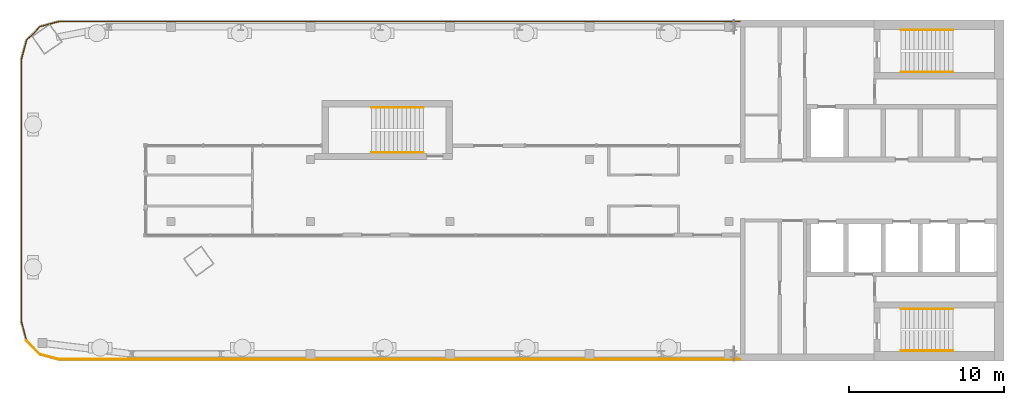
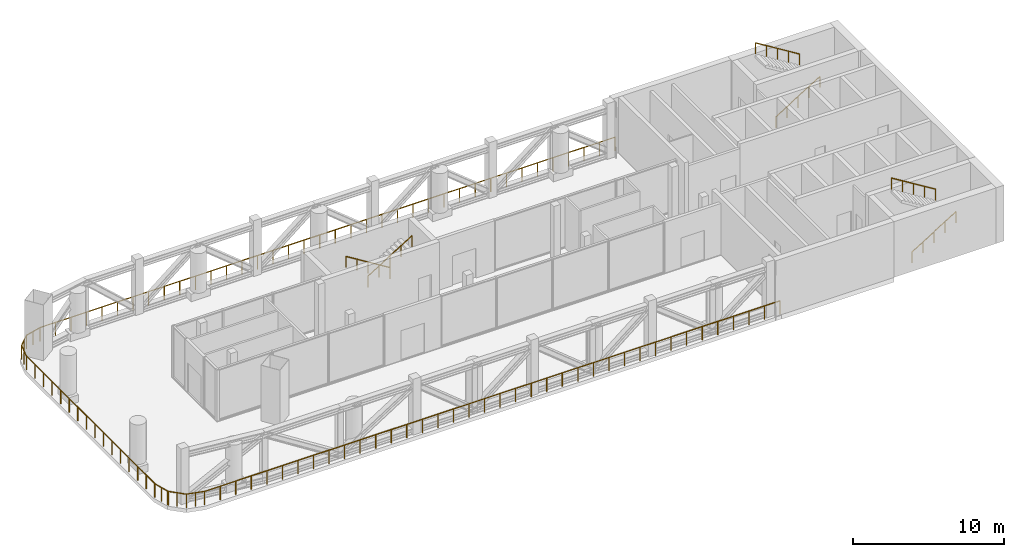
# One storey, part 7 of 9: 9 railings.
"""IFC4 building model written with IfcOpenShell, lengths in metres."""

from ifc_helpers import new_model, si_unit, direction, frame, origin, origin_2d, place, context, subcontext, project, spatial, circle, extrude, material, type_object, element, save


model = new_model("IFC4")

# Units and contexts
model_context = context("Model", 3, precision=1e-05, world=origin(), true_north=direction((0.0, 1.0)))
body_context = subcontext(model_context, "Body", "Model", "MODEL_VIEW")
ifc_project = project(units=[si_unit("LENGTHUNIT", "METRE"), si_unit("AREAUNIT", "SQUARE_METRE"), si_unit("VOLUMEUNIT", "CUBIC_METRE"), si_unit("PLANEANGLEUNIT", "RADIAN"), si_unit("MASSUNIT", "GRAM", prefix="KILO")], contexts=[model_context])

# Site, building, storey
site_placement = place(None, origin())
site = spatial("IfcSite", under=ifc_project, at=site_placement, CompositionType="ELEMENT")
building_placement = place(site_placement, origin())
building = spatial("IfcBuilding", under=site, at=building_placement, Name="Skarvind Civic Tower", CompositionType="ELEMENT")
storey_placement = place(building_placement, frame((0.0, 0.0, 277.5)))
storey = spatial("IfcBuildingStorey", under=building, at=storey_placement, Name="L66", CompositionType="ELEMENT", Elevation=277.5)

# Railings
ifc_material_1 = material(Name="Stainless steel balustrade", Category="steel")
railing_type_1 = type_object("IfcRailingType", Name="GR1 GUARD 1100", PredefinedType="GUARDRAIL", material=ifc_material_1)
railing_1_placement = place(storey_placement, frame((44.931396484375, 118.27587890625, 0.0)))
element("IfcRailing", 1, at=railing_1_placement, inside=storey, type_object=railing_type_1, Name="OBSERVATION TERRACE GUARD", PredefinedType="GUARDRAIL", context=body_context, shape_type="SweptSolid", body=[
    extrude(circle(Radius=0.02392578125, at=origin_2d()), frame((0.0, 0.0, 1.076171875), z_axis=(-0.258647162907, 0.965971865595, 0.0), x_axis=(-0.965971865595, -0.258647162907, 0.0)), (0.0, 0.0, 1.0), 1.281005859375),
    extrude(circle(Radius=0.02392578125, at=origin_2d()), frame((-0.331298828125, 1.2373046875, 1.076171875), z_axis=(0.0, 1.0, 0.0), x_axis=(-1.0, 0.0, 0.0)), (0.0, 0.0, 1.0), 16.9736328125),
    extrude(circle(Radius=0.02392578125, at=origin_2d()), frame((-0.331298828125, 18.2109375, 1.076171875), z_axis=(0.258716623949, 0.965953264135, 0.0), x_axis=(-0.965953264135, 0.258716623949, 0.0)), (0.0, 0.0, 1.0), 1.254150390625),
    extrude(circle(Radius=0.02392578125, at=origin_2d()), frame((-0.0068359375, 19.42236328125, 1.076171875), z_axis=(0.707106781187, 0.707106781187, 0.0), x_axis=(-0.707106781187, 0.707106781187, 0.0)), (0.0, 0.0, 1.0), 1.240478515625),
    extrude(circle(Radius=0.02392578125, at=origin_2d()), frame((0.870361328125, 20.299560546875, 1.076171875), z_axis=(0.965953264135, 0.258716623949, 0.0), x_axis=(-0.258716623949, 0.965953264135, 0.0)), (0.0, 0.0, 1.0), 1.254150390625),
    extrude(circle(Radius=0.02392578125, at=origin_2d()), frame((2.081787109375, 20.6240234375, 1.076171875), z_axis=(1.0, 0.0, 0.0), x_axis=(0.0, 1.0, 0.0)), (0.0, 0.0, 1.0), 43.936767578125),
    extrude(circle(Radius=0.02099609375, at=origin_2d()), origin(), (0.0, 0.0, 1.0), 1.052001953125),
    extrude(circle(Radius=0.02099609375, at=origin_2d()), frame((-0.16552734375, 0.61865234375, 0.0)), (0.0, 0.0, 1.0), 1.052001953125),
    extrude(circle(Radius=0.02099609375, at=origin_2d()), frame((-0.331298828125, 1.2373046875, 0.0)), (0.0, 0.0, 1.0), 1.052001953125),
    extrude(circle(Radius=0.02099609375, at=origin_2d()), frame((-0.331298828125, 2.368896484375, 0.0)), (0.0, 0.0, 1.0), 1.052001953125),
    extrude(circle(Radius=0.02099609375, at=origin_2d()), frame((-0.331298828125, 3.50048828125, 0.0)), (0.0, 0.0, 1.0), 1.052001953125),
    extrude(circle(Radius=0.02099609375, at=origin_2d()), frame((-0.331298828125, 4.632080078125, 0.0)), (0.0, 0.0, 1.0), 1.052001953125),
    extrude(circle(Radius=0.02099609375, at=origin_2d()), frame((-0.331298828125, 5.763671875, 0.0)), (0.0, 0.0, 1.0), 1.052001953125),
    extrude(circle(Radius=0.02099609375, at=origin_2d()), frame((-0.331298828125, 6.895263671875, 0.0)), (0.0, 0.0, 1.0), 1.052001953125),
    extrude(circle(Radius=0.02099609375, at=origin_2d()), frame((-0.331298828125, 8.02685546875, 0.0)), (0.0, 0.0, 1.0), 1.052001953125),
    extrude(circle(Radius=0.02099609375, at=origin_2d()), frame((-0.331298828125, 9.158447265625, 0.0)), (0.0, 0.0, 1.0), 1.052001953125),
    extrude(circle(Radius=0.02099609375, at=origin_2d()), frame((-0.331298828125, 10.289794921875, 0.0)), (0.0, 0.0, 1.0), 1.052001953125),
    extrude(circle(Radius=0.02099609375, at=origin_2d()), frame((-0.331298828125, 11.42138671875, 0.0)), (0.0, 0.0, 1.0), 1.052001953125),
    extrude(circle(Radius=0.02099609375, at=origin_2d()), frame((-0.331298828125, 12.552978515625, 0.0)), (0.0, 0.0, 1.0), 1.052001953125),
    extrude(circle(Radius=0.02099609375, at=origin_2d()), frame((-0.331298828125, 13.6845703125, 0.0)), (0.0, 0.0, 1.0), 1.052001953125),
    extrude(circle(Radius=0.02099609375, at=origin_2d()), frame((-0.331298828125, 14.816162109375, 0.0)), (0.0, 0.0, 1.0), 1.052001953125),
    extrude(circle(Radius=0.02099609375, at=origin_2d()), frame((-0.331298828125, 15.94775390625, 0.0)), (0.0, 0.0, 1.0), 1.052001953125),
    extrude(circle(Radius=0.02099609375, at=origin_2d()), frame((-0.331298828125, 17.079345703125, 0.0)), (0.0, 0.0, 1.0), 1.052001953125),
    extrude(circle(Radius=0.02099609375, at=origin_2d()), frame((-0.331298828125, 18.2109375, 0.0)), (0.0, 0.0, 1.0), 1.052001953125),
    extrude(circle(Radius=0.02099609375, at=origin_2d()), frame((-0.1689453125, 18.816650390625, 0.0)), (0.0, 0.0, 1.0), 1.052001953125),
    extrude(circle(Radius=0.02099609375, at=origin_2d()), frame((-0.0068359375, 19.42236328125, 0.0)), (0.0, 0.0, 1.0), 1.052001953125),
    extrude(circle(Radius=0.02099609375, at=origin_2d()), frame((0.431640625, 19.86083984375, 0.0)), (0.0, 0.0, 1.0), 1.052001953125),
    extrude(circle(Radius=0.02099609375, at=origin_2d()), frame((0.870361328125, 20.299560546875, 0.0)), (0.0, 0.0, 1.0), 1.052001953125),
    extrude(circle(Radius=0.02099609375, at=origin_2d()), frame((1.47607421875, 20.4619140625, 0.0)), (0.0, 0.0, 1.0), 1.052001953125),
    extrude(circle(Radius=0.02099609375, at=origin_2d()), frame((2.081787109375, 20.6240234375, 0.0)), (0.0, 0.0, 1.0), 1.052001953125),
    extrude(circle(Radius=0.02099609375, at=origin_2d()), frame((3.269287109375, 20.6240234375, 0.0)), (0.0, 0.0, 1.0), 1.052001953125),
    extrude(circle(Radius=0.02099609375, at=origin_2d()), frame((4.456787109375, 20.6240234375, 0.0)), (0.0, 0.0, 1.0), 1.052001953125),
    extrude(circle(Radius=0.02099609375, at=origin_2d()), frame((5.644287109375, 20.6240234375, 0.0)), (0.0, 0.0, 1.0), 1.052001953125),
    extrude(circle(Radius=0.02099609375, at=origin_2d()), frame((6.831787109375, 20.6240234375, 0.0)), (0.0, 0.0, 1.0), 1.052001953125),
    extrude(circle(Radius=0.02099609375, at=origin_2d()), frame((8.019287109375, 20.6240234375, 0.0)), (0.0, 0.0, 1.0), 1.052001953125),
    extrude(circle(Radius=0.02099609375, at=origin_2d()), frame((9.206787109375, 20.6240234375, 0.0)), (0.0, 0.0, 1.0), 1.052001953125),
    extrude(circle(Radius=0.02099609375, at=origin_2d()), frame((10.39404296875, 20.6240234375, 0.0)), (0.0, 0.0, 1.0), 1.052001953125),
    extrude(circle(Radius=0.02099609375, at=origin_2d()), frame((11.58154296875, 20.6240234375, 0.0)), (0.0, 0.0, 1.0), 1.052001953125),
    extrude(circle(Radius=0.02099609375, at=origin_2d()), frame((12.76904296875, 20.6240234375, 0.0)), (0.0, 0.0, 1.0), 1.052001953125),
    extrude(circle(Radius=0.02099609375, at=origin_2d()), frame((13.95654296875, 20.6240234375, 0.0)), (0.0, 0.0, 1.0), 1.052001953125),
    extrude(circle(Radius=0.02099609375, at=origin_2d()), frame((15.14404296875, 20.6240234375, 0.0)), (0.0, 0.0, 1.0), 1.052001953125),
    extrude(circle(Radius=0.02099609375, at=origin_2d()), frame((16.33154296875, 20.6240234375, 0.0)), (0.0, 0.0, 1.0), 1.052001953125),
    extrude(circle(Radius=0.02099609375, at=origin_2d()), frame((17.51904296875, 20.6240234375, 0.0)), (0.0, 0.0, 1.0), 1.052001953125),
    extrude(circle(Radius=0.02099609375, at=origin_2d()), frame((18.70654296875, 20.6240234375, 0.0)), (0.0, 0.0, 1.0), 1.052001953125),
    extrude(circle(Radius=0.02099609375, at=origin_2d()), frame((19.89404296875, 20.6240234375, 0.0)), (0.0, 0.0, 1.0), 1.052001953125),
    extrude(circle(Radius=0.02099609375, at=origin_2d()), frame((21.08154296875, 20.6240234375, 0.0)), (0.0, 0.0, 1.0), 1.052001953125),
    extrude(circle(Radius=0.02099609375, at=origin_2d()), frame((22.26904296875, 20.6240234375, 0.0)), (0.0, 0.0, 1.0), 1.052001953125),
    extrude(circle(Radius=0.02099609375, at=origin_2d()), frame((23.45654296875, 20.6240234375, 0.0)), (0.0, 0.0, 1.0), 1.052001953125),
    extrude(circle(Radius=0.02099609375, at=origin_2d()), frame((24.643798828125, 20.6240234375, 0.0)), (0.0, 0.0, 1.0), 1.052001953125),
    extrude(circle(Radius=0.02099609375, at=origin_2d()), frame((25.831298828125, 20.6240234375, 0.0)), (0.0, 0.0, 1.0), 1.052001953125),
    extrude(circle(Radius=0.02099609375, at=origin_2d()), frame((27.018798828125, 20.6240234375, 0.0)), (0.0, 0.0, 1.0), 1.052001953125),
    extrude(circle(Radius=0.02099609375, at=origin_2d()), frame((28.206298828125, 20.6240234375, 0.0)), (0.0, 0.0, 1.0), 1.052001953125),
    extrude(circle(Radius=0.02099609375, at=origin_2d()), frame((29.393798828125, 20.6240234375, 0.0)), (0.0, 0.0, 1.0), 1.052001953125),
    extrude(circle(Radius=0.02099609375, at=origin_2d()), frame((30.581298828125, 20.6240234375, 0.0)), (0.0, 0.0, 1.0), 1.052001953125),
    extrude(circle(Radius=0.02099609375, at=origin_2d()), frame((31.768798828125, 20.6240234375, 0.0)), (0.0, 0.0, 1.0), 1.052001953125),
    extrude(circle(Radius=0.02099609375, at=origin_2d()), frame((32.956298828125, 20.6240234375, 0.0)), (0.0, 0.0, 1.0), 1.052001953125),
    extrude(circle(Radius=0.02099609375, at=origin_2d()), frame((34.143798828125, 20.6240234375, 0.0)), (0.0, 0.0, 1.0), 1.052001953125),
    extrude(circle(Radius=0.02099609375, at=origin_2d()), frame((35.331298828125, 20.6240234375, 0.0)), (0.0, 0.0, 1.0), 1.052001953125),
    extrude(circle(Radius=0.02099609375, at=origin_2d()), frame((36.518798828125, 20.6240234375, 0.0)), (0.0, 0.0, 1.0), 1.052001953125),
    extrude(circle(Radius=0.02099609375, at=origin_2d()), frame((37.706298828125, 20.6240234375, 0.0)), (0.0, 0.0, 1.0), 1.052001953125),
    extrude(circle(Radius=0.02099609375, at=origin_2d()), frame((38.8935546875, 20.6240234375, 0.0)), (0.0, 0.0, 1.0), 1.052001953125),
    extrude(circle(Radius=0.02099609375, at=origin_2d()), frame((40.0810546875, 20.6240234375, 0.0)), (0.0, 0.0, 1.0), 1.052001953125),
    extrude(circle(Radius=0.02099609375, at=origin_2d()), frame((41.2685546875, 20.6240234375, 0.0)), (0.0, 0.0, 1.0), 1.052001953125),
    extrude(circle(Radius=0.02099609375, at=origin_2d()), frame((42.4560546875, 20.6240234375, 0.0)), (0.0, 0.0, 1.0), 1.052001953125),
    extrude(circle(Radius=0.02099609375, at=origin_2d()), frame((43.6435546875, 20.6240234375, 0.0)), (0.0, 0.0, 1.0), 1.052001953125),
    extrude(circle(Radius=0.02099609375, at=origin_2d()), frame((44.8310546875, 20.6240234375, 0.0)), (0.0, 0.0, 1.0), 1.052001953125),
    extrude(circle(Radius=0.02099609375, at=origin_2d()), frame((46.0185546875, 20.6240234375, 0.0)), (0.0, 0.0, 1.0), 1.052001953125),
])
railing_2_placement = place(storey_placement, frame((90.949951171875, 117.10009765625, 0.0)))
element("IfcRailing", 2, at=railing_2_placement, inside=storey, type_object=railing_type_1, Name="OBSERVATION TERRACE GUARD", PredefinedType="GUARDRAIL", context=body_context, shape_type="SweptSolid", body=[
    extrude(circle(Radius=0.02392578125, at=origin_2d()), frame((0.0, 0.0, 1.076171875), z_axis=(-1.0, 0.0, 0.0), x_axis=(0.0, -1.0, 0.0)), (0.0, 0.0, 1.0), 43.936767578125),
    extrude(circle(Radius=0.02099609375, at=origin_2d()), origin(), (0.0, 0.0, 1.0), 1.052001953125),
    extrude(circle(Radius=0.02099609375, at=origin_2d()), frame((-1.1875, 0.0, 0.0)), (0.0, 0.0, 1.0), 1.052001953125),
    extrude(circle(Radius=0.02099609375, at=origin_2d()), frame((-2.375, 0.0, 0.0)), (0.0, 0.0, 1.0), 1.052001953125),
    extrude(circle(Radius=0.02099609375, at=origin_2d()), frame((-3.5625, 0.0, 0.0)), (0.0, 0.0, 1.0), 1.052001953125),
    extrude(circle(Radius=0.02099609375, at=origin_2d()), frame((-4.75, 0.0, 0.0)), (0.0, 0.0, 1.0), 1.052001953125),
    extrude(circle(Radius=0.02099609375, at=origin_2d()), frame((-5.9375, 0.0, 0.0)), (0.0, 0.0, 1.0), 1.052001953125),
    extrude(circle(Radius=0.02099609375, at=origin_2d()), frame((-7.125, 0.0, 0.0)), (0.0, 0.0, 1.0), 1.052001953125),
    extrude(circle(Radius=0.02099609375, at=origin_2d()), frame((-8.312255859375, 0.0, 0.0)), (0.0, 0.0, 1.0), 1.052001953125),
    extrude(circle(Radius=0.02099609375, at=origin_2d()), frame((-9.499755859375, 0.0, 0.0)), (0.0, 0.0, 1.0), 1.052001953125),
    extrude(circle(Radius=0.02099609375, at=origin_2d()), frame((-10.687255859375, 0.0, 0.0)), (0.0, 0.0, 1.0), 1.052001953125),
    extrude(circle(Radius=0.02099609375, at=origin_2d()), frame((-11.874755859375, 0.0, 0.0)), (0.0, 0.0, 1.0), 1.052001953125),
    extrude(circle(Radius=0.02099609375, at=origin_2d()), frame((-13.062255859375, 0.0, 0.0)), (0.0, 0.0, 1.0), 1.052001953125),
    extrude(circle(Radius=0.02099609375, at=origin_2d()), frame((-14.249755859375, 0.0, 0.0)), (0.0, 0.0, 1.0), 1.052001953125),
    extrude(circle(Radius=0.02099609375, at=origin_2d()), frame((-15.437255859375, 0.0, 0.0)), (0.0, 0.0, 1.0), 1.052001953125),
    extrude(circle(Radius=0.02099609375, at=origin_2d()), frame((-16.624755859375, 0.0, 0.0)), (0.0, 0.0, 1.0), 1.052001953125),
    extrude(circle(Radius=0.02099609375, at=origin_2d()), frame((-17.812255859375, 0.0, 0.0)), (0.0, 0.0, 1.0), 1.052001953125),
    extrude(circle(Radius=0.02099609375, at=origin_2d()), frame((-18.999755859375, 0.0, 0.0)), (0.0, 0.0, 1.0), 1.052001953125),
    extrude(circle(Radius=0.02099609375, at=origin_2d()), frame((-20.187255859375, 0.0, 0.0)), (0.0, 0.0, 1.0), 1.052001953125),
    extrude(circle(Radius=0.02099609375, at=origin_2d()), frame((-21.374755859375, 0.0, 0.0)), (0.0, 0.0, 1.0), 1.052001953125),
    extrude(circle(Radius=0.02099609375, at=origin_2d()), frame((-22.56201171875, 0.0, 0.0)), (0.0, 0.0, 1.0), 1.052001953125),
    extrude(circle(Radius=0.02099609375, at=origin_2d()), frame((-23.74951171875, 0.0, 0.0)), (0.0, 0.0, 1.0), 1.052001953125),
    extrude(circle(Radius=0.02099609375, at=origin_2d()), frame((-24.93701171875, 0.0, 0.0)), (0.0, 0.0, 1.0), 1.052001953125),
    extrude(circle(Radius=0.02099609375, at=origin_2d()), frame((-26.12451171875, 0.0, 0.0)), (0.0, 0.0, 1.0), 1.052001953125),
    extrude(circle(Radius=0.02099609375, at=origin_2d()), frame((-27.31201171875, 0.0, 0.0)), (0.0, 0.0, 1.0), 1.052001953125),
    extrude(circle(Radius=0.02099609375, at=origin_2d()), frame((-28.49951171875, 0.0, 0.0)), (0.0, 0.0, 1.0), 1.052001953125),
    extrude(circle(Radius=0.02099609375, at=origin_2d()), frame((-29.68701171875, 0.0, 0.0)), (0.0, 0.0, 1.0), 1.052001953125),
    extrude(circle(Radius=0.02099609375, at=origin_2d()), frame((-30.87451171875, 0.0, 0.0)), (0.0, 0.0, 1.0), 1.052001953125),
    extrude(circle(Radius=0.02099609375, at=origin_2d()), frame((-32.06201171875, 0.0, 0.0)), (0.0, 0.0, 1.0), 1.052001953125),
    extrude(circle(Radius=0.02099609375, at=origin_2d()), frame((-33.24951171875, 0.0, 0.0)), (0.0, 0.0, 1.0), 1.052001953125),
    extrude(circle(Radius=0.02099609375, at=origin_2d()), frame((-34.43701171875, 0.0, 0.0)), (0.0, 0.0, 1.0), 1.052001953125),
    extrude(circle(Radius=0.02099609375, at=origin_2d()), frame((-35.62451171875, 0.0, 0.0)), (0.0, 0.0, 1.0), 1.052001953125),
    extrude(circle(Radius=0.02099609375, at=origin_2d()), frame((-36.811767578125, 0.0, 0.0)), (0.0, 0.0, 1.0), 1.052001953125),
    extrude(circle(Radius=0.02099609375, at=origin_2d()), frame((-37.999267578125, 0.0, 0.0)), (0.0, 0.0, 1.0), 1.052001953125),
    extrude(circle(Radius=0.02099609375, at=origin_2d()), frame((-39.186767578125, 0.0, 0.0)), (0.0, 0.0, 1.0), 1.052001953125),
    extrude(circle(Radius=0.02099609375, at=origin_2d()), frame((-40.374267578125, 0.0, 0.0)), (0.0, 0.0, 1.0), 1.052001953125),
    extrude(circle(Radius=0.02099609375, at=origin_2d()), frame((-41.561767578125, 0.0, 0.0)), (0.0, 0.0, 1.0), 1.052001953125),
    extrude(circle(Radius=0.02099609375, at=origin_2d()), frame((-42.749267578125, 0.0, 0.0)), (0.0, 0.0, 1.0), 1.052001953125),
    extrude(circle(Radius=0.02099609375, at=origin_2d()), frame((-43.936767578125, 0.0, 0.0)), (0.0, 0.0, 1.0), 1.052001953125),
])
railing_3_placement = place(storey_placement, frame((47.01318359375, 117.10009765625, 0.0)))
element("IfcRailing", 3, at=railing_3_placement, inside=storey, type_object=railing_type_1, Name="OBSERVATION TERRACE GUARD", PredefinedType="GUARDRAIL", context=body_context, shape_type="SweptSolid", body=[
    extrude(circle(Radius=0.02392578125, at=origin_2d()), frame((0.0, 0.0, 1.076171875), z_axis=(-0.965953264135, 0.258716623949, 0.0), x_axis=(-0.258716623949, -0.965953264135, 0.0)), (0.0, 0.0, 1.0), 1.254150390625),
    extrude(circle(Radius=0.02392578125, at=origin_2d()), frame((-1.21142578125, 0.324462890625, 1.076171875), z_axis=(-0.707106781187, 0.707106781187, 0.0), x_axis=(-0.707106781187, -0.707106781187, 0.0)), (0.0, 0.0, 1.0), 1.267578125),
    extrude(circle(Radius=0.02099609375, at=origin_2d()), origin(), (0.0, 0.0, 1.0), 1.052001953125),
    extrude(circle(Radius=0.02099609375, at=origin_2d()), frame((-0.605712890625, 0.162109375, 0.0)), (0.0, 0.0, 1.0), 1.052001953125),
    extrude(circle(Radius=0.02099609375, at=origin_2d()), frame((-1.21142578125, 0.324462890625, 0.0)), (0.0, 0.0, 1.0), 1.052001953125),
    extrude(circle(Radius=0.02099609375, at=origin_2d()), frame((-1.65966796875, 0.7724609375, 0.0)), (0.0, 0.0, 1.0), 1.052001953125),
    extrude(circle(Radius=0.02099609375, at=origin_2d()), frame((-2.107666015625, 1.220703125, 0.0)), (0.0, 0.0, 1.0), 1.052001953125),
])
ifc_material_2 = material(Name="Painted steel handrail", Category="steel")
railing_type_2 = type_object("IfcRailingType", Name="Stair handrail 900", PredefinedType="HANDRAIL", material=ifc_material_2)
railing_4_placement = place(storey_placement, frame((101.35009765625, 135.64990234375, 0.173095703125)))
element("IfcRailing", 4, at=railing_4_placement, inside=storey, type_object=railing_type_2, Name="Stair handrail", PredefinedType="HANDRAIL", context=body_context, shape_type="SweptSolid", body=[
    extrude(circle(Radius=0.02392578125, at=origin_2d()), frame((0.0, 0.0, 0.8759765625), z_axis=(0.850606129759, 0.0, 0.525803396734), x_axis=(0.0, 1.0, 0.0)), (0.0, 0.0, 1.0), 3.949951171875),
    extrude(circle(Radius=0.02099609375, at=origin_2d()), origin(), (0.0, 0.0, 1.0), 0.851806640625),
    extrude(circle(Radius=0.02099609375, at=origin_2d()), frame((0.83984375, 0.0, 0.519287109375)), (0.0, 0.0, 1.0), 0.851806640625),
    extrude(circle(Radius=0.02099609375, at=origin_2d()), frame((1.679931640625, 0.0, 1.03857421875)), (0.0, 0.0, 1.0), 0.851806640625),
    extrude(circle(Radius=0.02099609375, at=origin_2d()), frame((2.52001953125, 0.0, 1.5576171875)), (0.0, 0.0, 1.0), 0.851806640625),
    extrude(circle(Radius=0.02099609375, at=origin_2d()), frame((3.35986328125, 0.0, 2.076904296875)), (0.0, 0.0, 1.0), 0.851806640625),
])
railing_5_placement = place(storey_placement, frame((104.7099609375, 138.35009765625, 2.423095703125)))
element("IfcRailing", 5, at=railing_5_placement, inside=storey, type_object=railing_type_2, Name="Stair handrail", PredefinedType="HANDRAIL", context=body_context, shape_type="SweptSolid", body=[
    extrude(circle(Radius=0.02392578125, at=origin_2d()), frame((0.0, 0.0, 0.8759765625), z_axis=(-0.850606129759, 0.0, 0.525803396734), x_axis=(0.0, -1.0, 0.0)), (0.0, 0.0, 1.0), 3.949951171875),
    extrude(circle(Radius=0.02099609375, at=origin_2d()), origin(), (0.0, 0.0, 1.0), 0.851806640625),
    extrude(circle(Radius=0.02099609375, at=origin_2d()), frame((-0.83984375, 0.0, 0.519287109375)), (0.0, 0.0, 1.0), 0.851806640625),
    extrude(circle(Radius=0.02099609375, at=origin_2d()), frame((-1.679931640625, 0.0, 1.03857421875)), (0.0, 0.0, 1.0), 0.851806640625),
    extrude(circle(Radius=0.02099609375, at=origin_2d()), frame((-2.52001953125, 0.0, 1.5576171875)), (0.0, 0.0, 1.0), 0.851806640625),
    extrude(circle(Radius=0.02099609375, at=origin_2d()), frame((-3.35986328125, 0.0, 2.076904296875)), (0.0, 0.0, 1.0), 0.851806640625),
])
railing_6_placement = place(storey_placement, frame((101.35009765625, 117.64990234375, 0.173095703125)))
element("IfcRailing", 6, at=railing_6_placement, inside=storey, type_object=railing_type_2, Name="Stair handrail", PredefinedType="HANDRAIL", context=body_context, shape_type="SweptSolid", body=[
    extrude(circle(Radius=0.02392578125, at=origin_2d()), frame((0.0, 0.0, 0.8759765625), z_axis=(0.850606129759, 0.0, 0.525803396734), x_axis=(0.0, 1.0, 0.0)), (0.0, 0.0, 1.0), 3.949951171875),
    extrude(circle(Radius=0.02099609375, at=origin_2d()), origin(), (0.0, 0.0, 1.0), 0.851806640625),
    extrude(circle(Radius=0.02099609375, at=origin_2d()), frame((0.83984375, 0.0, 0.519287109375)), (0.0, 0.0, 1.0), 0.851806640625),
    extrude(circle(Radius=0.02099609375, at=origin_2d()), frame((1.679931640625, 0.0, 1.03857421875)), (0.0, 0.0, 1.0), 0.851806640625),
    extrude(circle(Radius=0.02099609375, at=origin_2d()), frame((2.52001953125, 0.0, 1.5576171875)), (0.0, 0.0, 1.0), 0.851806640625),
    extrude(circle(Radius=0.02099609375, at=origin_2d()), frame((3.35986328125, 0.0, 2.076904296875)), (0.0, 0.0, 1.0), 0.851806640625),
])
railing_7_placement = place(storey_placement, frame((104.7099609375, 120.35009765625, 2.423095703125)))
element("IfcRailing", 7, at=railing_7_placement, inside=storey, type_object=railing_type_2, Name="Stair handrail", PredefinedType="HANDRAIL", context=body_context, shape_type="SweptSolid", body=[
    extrude(circle(Radius=0.02392578125, at=origin_2d()), frame((0.0, 0.0, 0.8759765625), z_axis=(-0.850606129759, 0.0, 0.525803396734), x_axis=(0.0, -1.0, 0.0)), (0.0, 0.0, 1.0), 3.949951171875),
    extrude(circle(Radius=0.02099609375, at=origin_2d()), origin(), (0.0, 0.0, 1.0), 0.851806640625),
    extrude(circle(Radius=0.02099609375, at=origin_2d()), frame((-0.83984375, 0.0, 0.519287109375)), (0.0, 0.0, 1.0), 0.851806640625),
    extrude(circle(Radius=0.02099609375, at=origin_2d()), frame((-1.679931640625, 0.0, 1.03857421875)), (0.0, 0.0, 1.0), 0.851806640625),
    extrude(circle(Radius=0.02099609375, at=origin_2d()), frame((-2.52001953125, 0.0, 1.5576171875)), (0.0, 0.0, 1.0), 0.851806640625),
    extrude(circle(Radius=0.02099609375, at=origin_2d()), frame((-3.35986328125, 0.0, 2.076904296875)), (0.0, 0.0, 1.0), 0.851806640625),
])
railing_8_placement = place(storey_placement, frame((70.550048828125, 133.35009765625, 0.173095703125)))
element("IfcRailing", 8, at=railing_8_placement, inside=storey, type_object=railing_type_2, Name="Stair handrail", PredefinedType="HANDRAIL", context=body_context, shape_type="SweptSolid", body=[
    extrude(circle(Radius=0.02392578125, at=origin_2d()), frame((0.0, 0.0, 0.8759765625), z_axis=(-0.850623216509, 0.0, 0.525775754039), x_axis=(0.0, -1.0, 0.0)), (0.0, 0.0, 1.0), 3.9501953125),
    extrude(circle(Radius=0.02099609375, at=origin_2d()), origin(), (0.0, 0.0, 1.0), 0.851806640625),
    extrude(circle(Radius=0.02099609375, at=origin_2d()), frame((-0.840087890625, 0.0, 0.519287109375)), (0.0, 0.0, 1.0), 0.851806640625),
    extrude(circle(Radius=0.02099609375, at=origin_2d()), frame((-1.68017578125, 0.0, 1.03857421875)), (0.0, 0.0, 1.0), 0.851806640625),
    extrude(circle(Radius=0.02099609375, at=origin_2d()), frame((-2.52001953125, 0.0, 1.5576171875)), (0.0, 0.0, 1.0), 0.851806640625),
    extrude(circle(Radius=0.02099609375, at=origin_2d()), frame((-3.360107421875, 0.0, 2.076904296875)), (0.0, 0.0, 1.0), 0.851806640625),
])
railing_9_placement = place(storey_placement, frame((67.18994140625, 130.449951171875, 2.423095703125)))
element("IfcRailing", 9, at=railing_9_placement, inside=storey, type_object=railing_type_2, Name="Stair handrail", PredefinedType="HANDRAIL", context=body_context, shape_type="SweptSolid", body=[
    extrude(circle(Radius=0.02392578125, at=origin_2d()), frame((0.0, 0.0, 0.8759765625), z_axis=(0.850623216509, 0.0, 0.525775754039), x_axis=(0.0, 1.0, 0.0)), (0.0, 0.0, 1.0), 3.9501953125),
    extrude(circle(Radius=0.02099609375, at=origin_2d()), origin(), (0.0, 0.0, 1.0), 0.851806640625),
    extrude(circle(Radius=0.02099609375, at=origin_2d()), frame((0.840087890625, 0.0, 0.519287109375)), (0.0, 0.0, 1.0), 0.851806640625),
    extrude(circle(Radius=0.02099609375, at=origin_2d()), frame((1.68017578125, 0.0, 1.03857421875)), (0.0, 0.0, 1.0), 0.851806640625),
    extrude(circle(Radius=0.02099609375, at=origin_2d()), frame((2.52001953125, 0.0, 1.5576171875)), (0.0, 0.0, 1.0), 0.851806640625),
    extrude(circle(Radius=0.02099609375, at=origin_2d()), frame((3.360107421875, 0.0, 2.076904296875)), (0.0, 0.0, 1.0), 0.851806640625),
])

save(model, "model.ifc")
